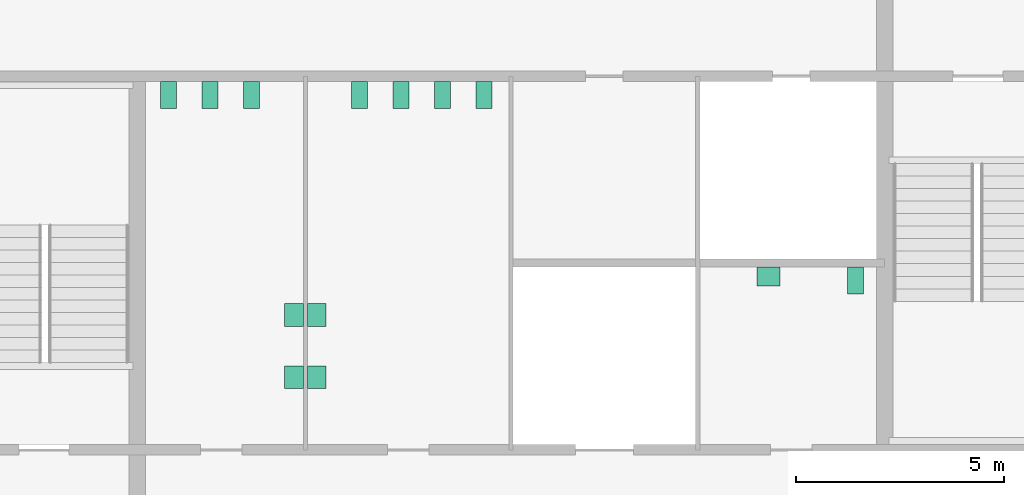
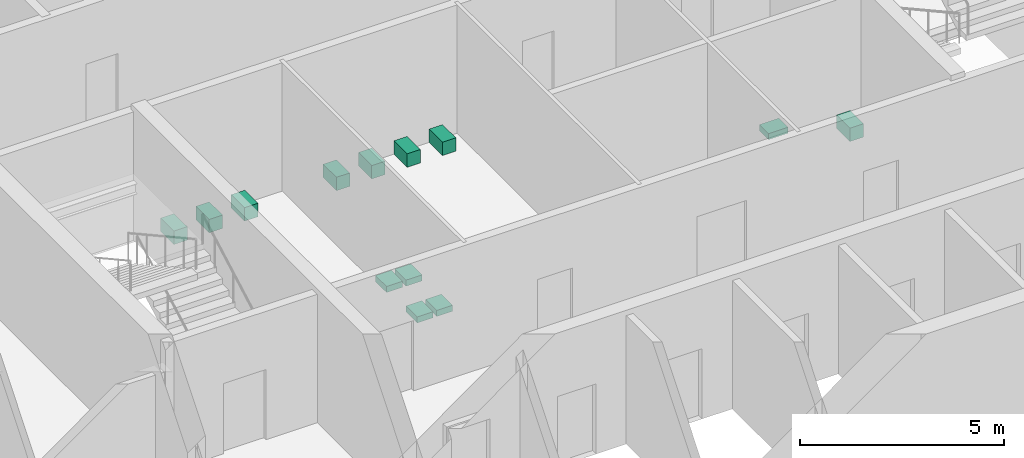
# One storey, part 13 of 13: 13 sanitary terminals.
"""IFC4 building model written with IfcOpenShell, lengths in metres."""

from ifc_helpers import new_model, si_unit, direction, frame, origin, origin_2d, place, context, subcontext, project, spatial, rectangle, extrude, material, type_object, element, save


model = new_model("IFC4")

# Units and contexts
model_context = context("Model", 3, precision=1e-05, world=origin(), true_north=direction((0.0, 1.0)))
body_context = subcontext(model_context, "Body", "Model", "MODEL_VIEW")
ifc_project = project(units=[si_unit("LENGTHUNIT", "METRE"), si_unit("AREAUNIT", "SQUARE_METRE"), si_unit("VOLUMEUNIT", "CUBIC_METRE"), si_unit("PLANEANGLEUNIT", "RADIAN"), si_unit("MASSUNIT", "GRAM", prefix="KILO")], contexts=[model_context])

# Site, building, storey
site_placement = place(None, origin())
site = spatial("IfcSite", under=ifc_project, at=site_placement, CompositionType="ELEMENT")
building_placement = place(site_placement, origin())
building = spatial("IfcBuilding", under=site, at=building_placement, Name="Corais Broadcast Tower", CompositionType="ELEMENT")
storey_placement = place(building_placement, frame((0.0, 0.0, 155.60009765625)))
storey = spatial("IfcBuildingStorey", under=building, at=storey_placement, Name="L35", CompositionType="ELEMENT", Elevation=155.60009765625)

# Sanitary terminals
ifc_material_1 = material(Name="Vitreous china", Category="ceramic")
sanitary_terminal_type_1 = type_object("IfcSanitaryTerminalType", Name="WC pan 380x650", PredefinedType="TOILETPAN", material=ifc_material_1)
for number, where, z_axis, x_axis, name in (
    (1, (18.75, 31.050048828125, 0.0), (0.0, 0.0, 1.0), (1.0, 0.0, 0.0), "SW1 WC pan, male toilets L35"),
    (2, (19.75, 31.050048828125, 0.0), (0.0, 0.0, 1.0), (1.0, 0.0, 0.0), "SW1 WC pan, male toilets L35"),
    (3, (20.75, 31.050048828125, 0.0), (0.0, 0.0, 1.0), (1.0, 0.0, 0.0), "SW1 WC pan, male toilets L35"),
    (4, (23.35009765625, 31.050048828125, 0.0), (0.0, 0.0, 1.0), (1.0, 0.0, 0.0), "SW1 WC pan, female toilets L35"),
    (5, (24.35009765625, 31.050048828125, 0.0), (0.0, 0.0, 1.0), (1.0, 0.0, 0.0), "SW1 WC pan, female toilets L35"),
    (6, (25.35009765625, 31.050048828125, 0.0), (0.0, 0.0, 1.0), (1.0, 0.0, 0.0), "SW1 WC pan, female toilets L35"),
    (7, (26.35009765625, 31.050048828125, 0.0), (0.0, 0.0, 1.0), (1.0, 0.0, 0.0), "SW1 WC pan, female toilets L35"),
    (8, (35.300048828125, 26.574951171875, 0.0), (0.0, 0.0, 1.0), (1.0, 0.0, 0.0), "SW1 WC pan, accessible WC L35"),
):
    element("IfcSanitaryTerminal", number, at=place(storey_placement, frame(where, z_axis=z_axis, x_axis=x_axis)), inside=storey, type_object=sanitary_terminal_type_1, Name=name, PredefinedType="TOILETPAN", context=body_context, shape_type="SweptSolid", body=[
        extrude(rectangle(XDim=0.3798828125, YDim=0.64990234375, at=origin_2d()), origin(), (0.0, 0.0, 1.0), 0.39990234375),
    ])
ifc_material_2 = material(Name="Vitreous china", Category="ceramic")
sanitary_terminal_type_2 = type_object("IfcSanitaryTerminalType", Name="Wash basin 550x450", PredefinedType="WASHHANDBASIN", material=ifc_material_2)
for number, where, z_axis, x_axis, name in (
    (9, (21.77490234375, 24.25, 0.69970703125), (0.0, 0.0, 1.0), (1.0, 0.0, 0.0), "WB1 wash basin, male toilets L35"),
    (10, (21.77490234375, 25.75, 0.69970703125), (0.0, 0.0, 1.0), (1.0, 0.0, 0.0), "WB1 wash basin, male toilets L35"),
    (11, (22.324951171875, 24.25, 0.69970703125), (0.0, 0.0, 1.0), (1.0, 0.0, 0.0), "WB1 wash basin, female toilets L35"),
    (12, (22.324951171875, 25.75, 0.69970703125), (0.0, 0.0, 1.0), (1.0, 0.0, 0.0), "WB1 wash basin, female toilets L35"),
):
    element("IfcSanitaryTerminal", number, at=place(storey_placement, frame(where, z_axis=z_axis, x_axis=x_axis)), inside=storey, type_object=sanitary_terminal_type_2, Name=name, PredefinedType="WASHHANDBASIN", context=body_context, shape_type="SweptSolid", body=[
        extrude(rectangle(XDim=0.449951171875, YDim=0.550048828125, at=origin_2d()), origin(), (0.0, 0.0, 1.0), 0.179931640625),
    ])
sanitary_terminal_placement = place(storey_placement, frame((33.199951171875, 26.675048828125, 0.69970703125), z_axis=(0.0, 0.0, 1.0), x_axis=(1.0, 0.0, 0.0)))
element("IfcSanitaryTerminal", 13, at=sanitary_terminal_placement, inside=storey, type_object=sanitary_terminal_type_2, Name="WB1 wash basin, accessible WC L35", PredefinedType="WASHHANDBASIN", context=body_context, shape_type="SweptSolid", body=[
    extrude(rectangle(XDim=0.550048828125, YDim=0.449951171875, at=origin_2d()), origin(), (0.0, 0.0, 1.0), 0.179931640625),
])

save(model, "model.ifc")
